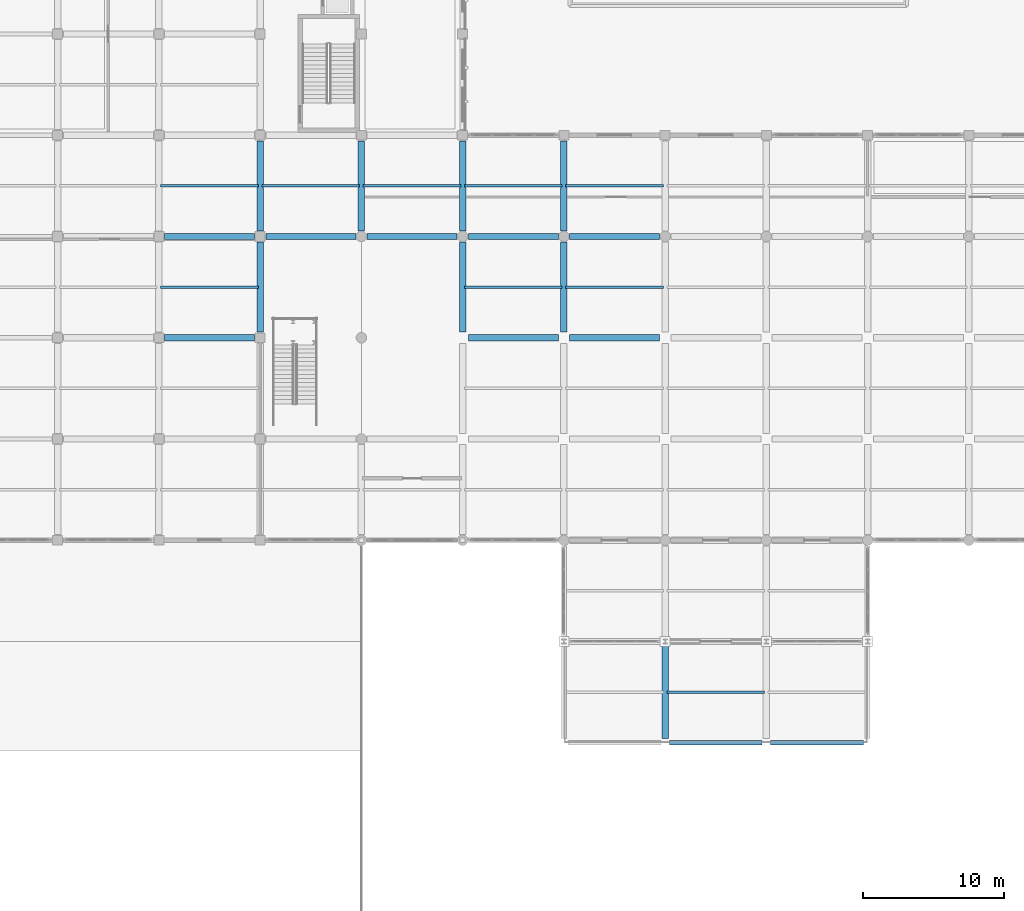
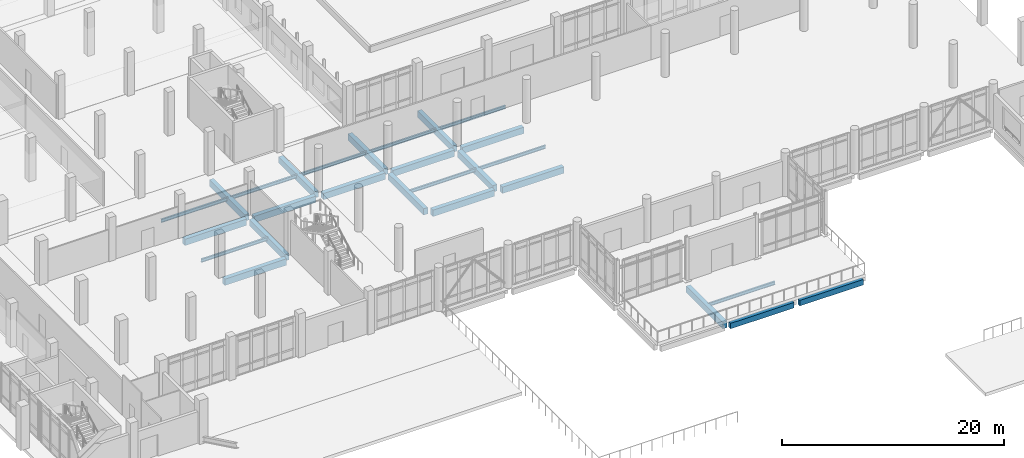
# One storey, part 14 of 59: 27 beams.
"""IFC4 building model written with IfcOpenShell, lengths in metres."""

from ifc_helpers import new_model, si_unit, direction, frame, origin, origin_2d, place, context, subcontext, project, spatial, rectangle, i_section, extrude, material, material_profile, profile_set, type_object, element, save


model = new_model("IFC4")

# Units and contexts
model_context = context("Model", 3, precision=1e-05, world=origin(), true_north=direction((0.0, 1.0)))
body_context = subcontext(model_context, "Body", "Model", "MODEL_VIEW")
ifc_project = project(units=[si_unit("LENGTHUNIT", "METRE"), si_unit("AREAUNIT", "SQUARE_METRE"), si_unit("VOLUMEUNIT", "CUBIC_METRE"), si_unit("PLANEANGLEUNIT", "RADIAN"), si_unit("MASSUNIT", "GRAM", prefix="KILO")], contexts=[model_context])

# Site, building, storey
site_placement = place(None, origin())
site = spatial("IfcSite", under=ifc_project, at=site_placement, CompositionType="ELEMENT")
building_placement = place(site_placement, origin())
building = spatial("IfcBuilding", under=site, at=building_placement, Name="Valkovuoma Quantum and Materials Research Institute", CompositionType="ELEMENT")
storey_placement = place(building_placement, origin())
storey = spatial("IfcBuildingStorey", under=building, at=storey_placement, Name="L00", CompositionType="ELEMENT", Elevation=0.0)

# Beams
ifc_material_1 = material(Name="Steel S355J2", Category="steel")
ifc_material_profile_1 = material_profile(ifc_material_1, i_section(OverallWidth=0.169921875, OverallDepth=0.360107421875, WebThickness=0.008056640625, FlangeThickness=0.0126953125, FilletRadius=0.01806640625, at=origin_2d()), Name="Steel S355J2")
ifc_profile_set_1 = profile_set([ifc_material_profile_1], Name="Steel S355J2")
beam_type_1 = type_object("IfcBeamType", Name="Beam-B-JST360", PredefinedType="JOIST", material=ifc_profile_set_1)
for number, where, z_axis, x_axis, name in (
    (1, (64.919921875, 25.199951171875, -0.580078125), (1.0, 0.0, 0.0), (0.0, 1.0, 0.0), "L00 floor joist 0402"),
    (2, (28.919921875, 54.0, -0.580078125), (1.0, 0.0, 0.0), (0.0, 1.0, 0.0), "L00 floor joist 0456"),
    (3, (50.52001953125, 54.0, -0.580078125), (1.0, 0.0, 0.0), (0.0, 1.0, 0.0), "L00 floor joist 0457"),
    (4, (57.719970703125, 54.0, -0.580078125), (1.0, 0.0, 0.0), (0.0, 1.0, 0.0), "L00 floor joist 0458"),
    (5, (28.919921875, 61.199951171875, -0.580078125), (1.0, 0.0, 0.0), (0.0, 1.0, 0.0), "L00 floor joist 0473"),
    (6, (36.1201171875, 61.199951171875, -0.580078125), (1.0, 0.0, 0.0), (0.0, 1.0, 0.0), "L00 floor joist 0474"),
    (7, (43.320068359375, 61.199951171875, -0.580078125), (1.0, 0.0, 0.0), (0.0, 1.0, 0.0), "L00 floor joist 0475"),
    (8, (50.52001953125, 61.199951171875, -0.580078125), (1.0, 0.0, 0.0), (0.0, 1.0, 0.0), "L00 floor joist 0476"),
    (9, (57.719970703125, 61.199951171875, -0.580078125), (1.0, 0.0, 0.0), (0.0, 1.0, 0.0), "L00 floor joist 0477"),
):
    element("IfcBeam", number, at=place(storey_placement, frame(where, z_axis=z_axis, x_axis=x_axis)), inside=storey, type_object=beam_type_1, Name=name, PredefinedType="JOIST", context=body_context, shape_type="SweptSolid", body=[
        extrude(i_section(OverallWidth=0.169921875, OverallDepth=0.360107421875, WebThickness=0.008056640625, FlangeThickness=0.0126953125, FilletRadius=0.01806640625, at=origin_2d()), origin(), (0.0, 0.0, 1.0), 6.9599609375),
    ])
ifc_material_2 = material(Name="Concrete C40/50", Category="concrete")
ifc_material_profile_2 = material_profile(ifc_material_2, rectangle(XDim=0.449951171875, YDim=0.699951171875, at=origin_2d()), Name="Concrete C40/50")
ifc_profile_set_2 = profile_set([ifc_material_profile_2], Name="Concrete C40/50")
beam_type_2 = type_object("IfcBeamType", Name="Beam-B-RC700", PredefinedType="BEAM", material=ifc_profile_set_2)
beam_1_placement = place(storey_placement, frame((29.199951171875, 50.39990234375, -0.75), z_axis=(1.0, 0.0, 0.0), x_axis=(0.0, 1.0, 0.0)))
element("IfcBeam", 10, at=beam_1_placement, inside=storey, type_object=beam_type_2, Name="L00 beam X-0078", PredefinedType="BEAM", context=body_context, shape_type="SweptSolid", body=[
    extrude(rectangle(XDim=0.449951171875, YDim=0.699951171875, at=origin_2d()), origin(), (0.0, 0.0, 1.0), 6.400146484375),
])
for number, where, z_axis, x_axis, name in (
    (11, (50.800048828125, 50.39990234375, -0.75), (1.0, 0.0, 0.0), (0.0, 1.0, 0.0), "L00 beam X-0079"),
    (12, (58.0, 50.39990234375, -0.75), (1.0, 0.0, 0.0), (0.0, 1.0, 0.0), "L00 beam X-0080"),
):
    element("IfcBeam", number, at=place(storey_placement, frame(where, z_axis=z_axis, x_axis=x_axis)), inside=storey, type_object=beam_type_2, Name=name, PredefinedType="BEAM", context=body_context, shape_type="SweptSolid", body=[
        extrude(rectangle(XDim=0.449951171875, YDim=0.699951171875, at=origin_2d()), origin(), (0.0, 0.0, 1.0), 6.39990234375),
    ])
for number, where, z_axis, x_axis, name in (
    (13, (29.199951171875, 57.60009765625, -0.75), (1.0, 0.0, 0.0), (0.0, 1.0, 0.0), "L00 beam X-0096"),
    (14, (36.39990234375, 57.60009765625, -0.75), (1.0, 0.0, 0.0), (0.0, 1.0, 0.0), "L00 beam X-0097"),
):
    element("IfcBeam", number, at=place(storey_placement, frame(where, z_axis=z_axis, x_axis=x_axis)), inside=storey, type_object=beam_type_2, Name=name, PredefinedType="BEAM", context=body_context, shape_type="SweptSolid", body=[
        extrude(rectangle(XDim=0.449951171875, YDim=0.699951171875, at=origin_2d()), origin(), (0.0, 0.0, 1.0), 6.400146484375),
    ])
for number, where, z_axis, x_axis, name in (
    (15, (43.60009765625, 57.60009765625, -0.75), (1.0, 0.0, 0.0), (0.0, 1.0, 0.0), "L00 beam X-0098"),
    (16, (50.800048828125, 57.60009765625, -0.75), (1.0, 0.0, 0.0), (0.0, 1.0, 0.0), "L00 beam X-0099"),
    (17, (58.0, 57.60009765625, -0.75), (1.0, 0.0, 0.0), (0.0, 1.0, 0.0), "L00 beam X-0100"),
    (18, (36.0, 50.800048828125, -0.75), (0.0, 1.0, 0.0), (-1.0, 0.0, 0.0), "L00 beam Y-0238"),
    (19, (36.0, 58.0, -0.75), (0.0, 1.0, 0.0), (-1.0, 0.0, 0.0), "L00 beam Y-0239"),
    (20, (43.199951171875, 58.0, -0.75), (0.0, 1.0, 0.0), (-1.0, 0.0, 0.0), "L00 beam Y-0247"),
    (21, (50.39990234375, 50.800048828125, -0.75), (0.0, 1.0, 0.0), (-1.0, 0.0, 0.0), "L00 beam Y-0254"),
    (22, (50.39990234375, 58.0, -0.75), (0.0, 1.0, 0.0), (-1.0, 0.0, 0.0), "L00 beam Y-0255"),
    (23, (57.60009765625, 50.800048828125, -0.75), (0.0, 1.0, 0.0), (-1.0, 0.0, 0.0), "L00 beam Y-0266"),
    (24, (57.60009765625, 58.0, -0.75), (0.0, 1.0, 0.0), (-1.0, 0.0, 0.0), "L00 beam Y-0267"),
):
    element("IfcBeam", number, at=place(storey_placement, frame(where, z_axis=z_axis, x_axis=x_axis)), inside=storey, type_object=beam_type_2, Name=name, PredefinedType="BEAM", context=body_context, shape_type="SweptSolid", body=[
        extrude(rectangle(XDim=0.449951171875, YDim=0.699951171875, at=origin_2d()), origin(), (0.0, 0.0, 1.0), 6.39990234375),
    ])
beam_2_placement = place(storey_placement, frame((64.800048828125, 21.89990234375, -0.75), z_axis=(0.0, 1.0, 0.0), x_axis=(-1.0, 0.0, 0.0)))
element("IfcBeam", 25, at=beam_2_placement, inside=storey, type_object=beam_type_2, Name="L00 beam Y-0268", PredefinedType="BEAM", context=body_context, shape_type="SweptSolid", body=[
    extrude(rectangle(XDim=0.449951171875, YDim=0.699951171875, at=origin_2d()), origin(), (0.0, 0.0, 1.0), 6.60009765625),
])
ifc_material_3 = material(Name="Concrete C40/50", Category="concrete")
ifc_material_profile_3 = material_profile(ifc_material_3, rectangle(XDim=0.35009765625, YDim=0.60009765625, at=origin_2d()), Name="Concrete C40/50")
ifc_profile_set_3 = profile_set([ifc_material_profile_3], Name="Concrete C40/50")
beam_type_3 = type_object("IfcBeamType", Name="Beam-B-SPN600", PredefinedType="SPANDREL", material=ifc_profile_set_3)
for number, where, z_axis, x_axis, name in (
    (26, (65.10009765625, 21.60009765625, -0.699951171875), (1.0, 0.0, 0.0), (0.0, 1.0, 0.0), "L00 beam X-0015"),
    (27, (72.300048828125, 21.60009765625, -0.699951171875), (1.0, 0.0, 0.0), (0.0, 1.0, 0.0), "L00 beam X-0016"),
):
    element("IfcBeam", number, at=place(storey_placement, frame(where, z_axis=z_axis, x_axis=x_axis)), inside=storey, type_object=beam_type_3, Name=name, PredefinedType="SPANDREL", context=body_context, shape_type="SweptSolid", body=[
        extrude(rectangle(XDim=0.35009765625, YDim=0.60009765625, at=origin_2d()), origin(), (0.0, 0.0, 1.0), 6.599853515625),
    ])

save(model, "model.ifc")
